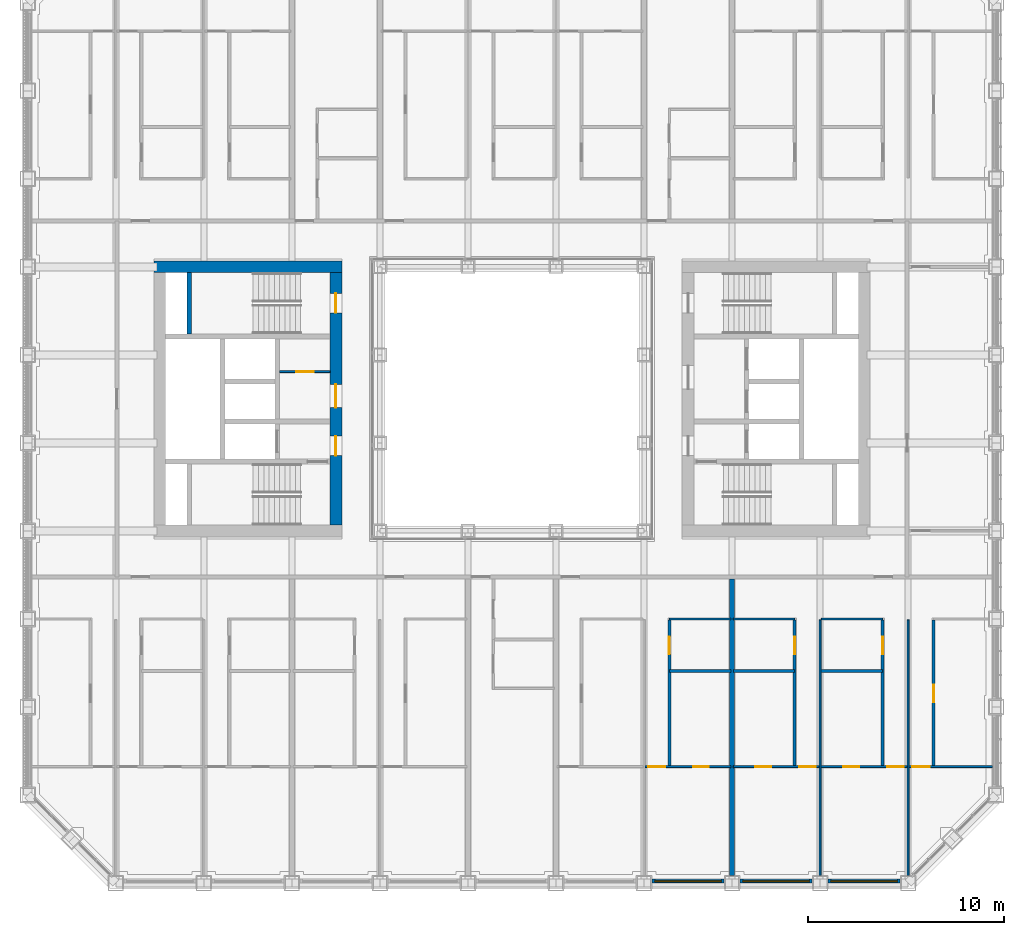
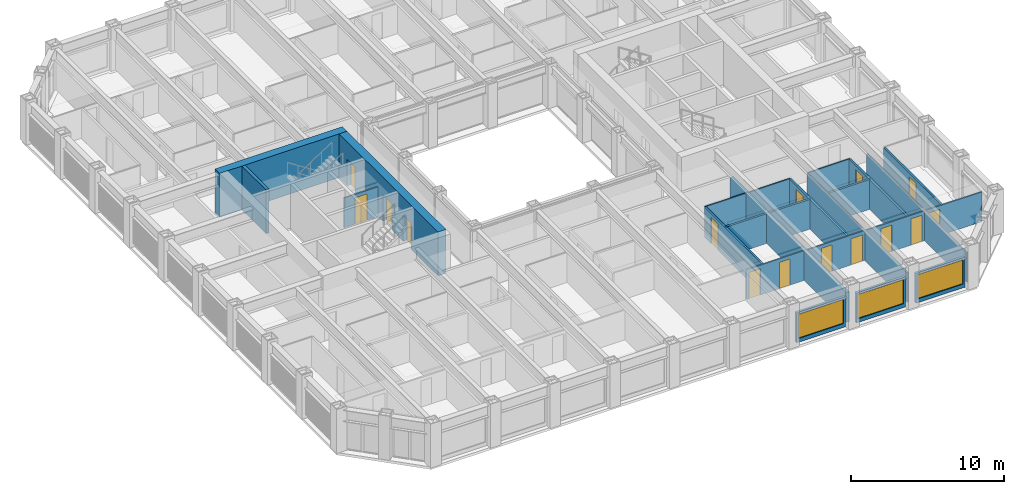
# One storey, part 11 of 20: 24 walls, 15 doors, 3 windows, 18 openings.
"""IFC4 building model written with IfcOpenShell, lengths in metres."""

from ifc_helpers import new_model, si_unit, direction, frame, frame_2d, origin, place, context, subcontext, project, spatial, rectangle, extrude, material, layer, layer_set, type_object, element, fill, save


model = new_model("IFC4")

# Units and contexts
model_context = context("Model", 3, precision=1e-05, world=origin(), true_north=direction((0.0, 1.0)))
body_context = subcontext(model_context, "Body", "Model", "MODEL_VIEW")
ifc_project = project(units=[si_unit("LENGTHUNIT", "METRE"), si_unit("AREAUNIT", "SQUARE_METRE"), si_unit("VOLUMEUNIT", "CUBIC_METRE"), si_unit("PLANEANGLEUNIT", "RADIAN"), si_unit("MASSUNIT", "GRAM", prefix="KILO")], contexts=[model_context])

# Site, building, storey
site_placement = place(None, origin())
site = spatial("IfcSite", under=ifc_project, at=site_placement, CompositionType="ELEMENT")
building_placement = place(site_placement, origin())
building = spatial("IfcBuilding", under=site, at=building_placement, Name="Msasa Ring Tower", CompositionType="ELEMENT")
storey_placement = place(building_placement, frame((0.0, 0.0, 58.0)))
storey = spatial("IfcBuildingStorey", under=building, at=storey_placement, Name="L14", CompositionType="ELEMENT", Elevation=58.0)

# Wall
ifc_material_1 = material(Name="Concrete C60/75", Category="concrete")
ifc_layer_1 = layer(ifc_material_1, 0.60009765625)
ifc_layer_set_1 = layer_set([ifc_layer_1], Name="CW1 CORE WALL 600")
wall_type_1 = type_object("IfcWallType", Name="CW1 CORE WALL 600", PredefinedType="SHEAR", material=ifc_layer_set_1)
wall_1_placement = place(storey_placement, frame((-8.699951171875, 6.75, 0.0), z_axis=(0.0, 0.0, 1.0), x_axis=(-1.0, 0.0, 0.0)))
element("IfcWall", 1, at=wall_1_placement, inside=storey, type_object=wall_type_1, Name="W core wall N L14", PredefinedType="SHEAR", context=body_context, shape_type="SweptSolid", body=[
    extrude(rectangle(XDim=9.60009765625, YDim=0.60009765625, at=frame_2d((4.800048828125, 0.0))), origin(), (0.0, 0.0, 1.0), 3.5),
])

# Wall, openings, doors
wall_2_placement = place(storey_placement, frame((-9.0, -6.449951171875, 0.0), z_axis=(0.0, 0.0, 1.0), x_axis=(0.0, 1.0, 0.0)))
wall_2 = element("IfcWall", 2, at=wall_2_placement, inside=storey, type_object=wall_type_1, Name="W core wall W L14", PredefinedType="SHEAR", context=body_context, shape_type="SweptSolid", body=[
    extrude(rectangle(XDim=12.89990234375, YDim=0.60009765625, at=frame_2d((6.449951171875, 0.0))), origin(), (0.0, 0.0, 1.0), 3.5),
])
opening_1_placement = place(wall_2_placement, frame((3.550048828125, 0.0, 0.0)))
opening_1 = element("IfcOpeningElement", 3, at=opening_1_placement, cuts=wall_2, Name="Opening RD-042", PredefinedType="OPENING", context=body_context, shape_type="SweptSolid", body=[
    extrude(rectangle(XDim=1.0, YDim=2.10009765625, at=frame_2d((0.5, 1.050048828125))), frame((0.0, 0.31005859375, 0.0), z_axis=(0.0, -1.0, 0.0), x_axis=(1.0, 0.0, 0.0)), (0.0, 0.0, 1.0), 0.6201171875),
])
opening_2_placement = place(wall_2_placement, frame((6.0, 0.0, 0.0)))
opening_2 = element("IfcOpeningElement", 4, at=opening_2_placement, cuts=wall_2, Name="Opening RD-039", PredefinedType="OPENING", context=body_context, shape_type="SweptSolid", body=[
    extrude(rectangle(XDim=1.199951171875, YDim=2.10009765625, at=frame_2d((0.60009765625, 1.050048828125))), frame((0.0, 0.31005859375, 0.0), z_axis=(0.0, -1.0, 0.0), x_axis=(1.0, 0.0, 0.0)), (0.0, 0.0, 1.0), 0.6201171875),
])
opening_3_placement = place(wall_2_placement, frame((10.85009765625, 0.0, 0.0)))
opening_3 = element("IfcOpeningElement", 5, at=opening_3_placement, cuts=wall_2, Name="Opening RD-035", PredefinedType="OPENING", context=body_context, shape_type="SweptSolid", body=[
    extrude(rectangle(XDim=1.0, YDim=2.10009765625, at=frame_2d((0.5, 1.050048828125))), frame((0.0, 0.31005859375, 0.0), z_axis=(0.0, -1.0, 0.0), x_axis=(1.0, 0.0, 0.0)), (0.0, 0.0, 1.0), 0.6201171875),
])
ifc_material_2 = material(Name="Timber door leaf in a steel frame", Category="steel")
door_type_1 = type_object("IfcDoorType", Name="D26 WIDE SERVICE ROOM DOOR 1200x2100", OperationType="SINGLE_SWING_LEFT", PredefinedType="DOOR", material=ifc_material_2)
door_1_placement = place(opening_2_placement, origin())
door_1 = element("IfcDoor", 6, at=door_1_placement, inside=storey, type_object=door_type_1, Name="Door L14-WCR", OperationType="SINGLE_SWING_RIGHT", OverallHeight=2.10009765625, OverallWidth=1.199951171875, PredefinedType="DOOR", context=body_context, shape_type="SweptSolid", body=[
    extrude(rectangle(XDim=1.199951171875, YDim=2.10009765625, at=frame_2d((0.60009765625, 1.050048828125))), frame((0.0, 0.02490234375, 0.0), z_axis=(0.0, -1.0, 0.0), x_axis=(1.0, 0.0, 0.0)), (0.0, 0.0, 1.0), 0.050048828125),
])
fill(opening_2, door_1)
ifc_material_3 = material(Name="Timber door leaf in a steel frame", Category="steel")
door_type_2 = type_object("IfcDoorType", Name="D4 LOBBY DOOR 1000x2100", OperationType="SINGLE_SWING_LEFT", PredefinedType="DOOR", material=ifc_material_3)
door_2_placement = place(opening_1_placement, origin())
door_2 = element("IfcDoor", 7, at=door_2_placement, inside=storey, type_object=door_type_2, Name="Door L14-WFFL", OperationType="SINGLE_SWING_LEFT", OverallHeight=2.10009765625, OverallWidth=1.0, PredefinedType="DOOR", context=body_context, shape_type="SweptSolid", body=[
    extrude(rectangle(XDim=1.0, YDim=2.10009765625, at=frame_2d((0.5, 1.050048828125))), frame((0.0, 0.02490234375, 0.0), z_axis=(0.0, -1.0, 0.0), x_axis=(1.0, 0.0, 0.0)), (0.0, 0.0, 1.0), 0.050048828125),
])
fill(opening_1, door_2)
ifc_material_4 = material(Name="Timber door leaf in a steel frame", Category="steel")
door_type_3 = type_object("IfcDoorType", Name="D6 STAIR DOOR 1000x2100", OperationType="SINGLE_SWING_LEFT", PredefinedType="DOOR", material=ifc_material_4)
door_3_placement = place(opening_3_placement, origin())
door_3 = element("IfcDoor", 8, at=door_3_placement, inside=storey, type_object=door_type_3, Name="Door L14-WSTB", OperationType="SINGLE_SWING_RIGHT", OverallHeight=2.10009765625, OverallWidth=1.0, PredefinedType="DOOR", context=body_context, shape_type="SweptSolid", body=[
    extrude(rectangle(XDim=1.0, YDim=2.10009765625, at=frame_2d((0.5, 1.050048828125))), frame((0.0, 0.02490234375, 0.0), z_axis=(0.0, -1.0, 0.0), x_axis=(1.0, 0.0, 0.0)), (0.0, 0.0, 1.0), 0.050048828125),
])
fill(opening_3, door_3)

# Wall
ifc_material_5 = material(Name="Concrete C60/75", Category="concrete")
ifc_layer_2 = layer(ifc_material_5, 0.25)
ifc_layer_set_2 = layer_set([ifc_layer_2], Name="CW4 CORE INNER WALL 250")
wall_type_2 = type_object("IfcWallType", Name="CW4 CORE INNER WALL 250", PredefinedType="SHEAR", material=ifc_layer_set_2)
wall_3_placement = place(storey_placement, frame((-16.5, 3.324951171875, 0.0), z_axis=(0.0, 0.0, 1.0), x_axis=(0.0, 1.0, 0.0)))
element("IfcWall", 9, at=wall_3_placement, inside=storey, type_object=wall_type_2, Name="W core wall RISERB L14", PredefinedType="SHEAR", context=body_context, shape_type="SweptSolid", body=[
    extrude(rectangle(XDim=3.125, YDim=0.25, at=frame_2d((1.5625, 0.0))), origin(), (0.0, 0.0, 1.0), 3.5),
])

# Wall, opening, window
ifc_material_6 = material(Name="Terracotta rainscreen on blockwork", Category="masonry")
ifc_layer_3 = layer(ifc_material_6, 0.199951171875)
ifc_layer_set_3 = layer_set([ifc_layer_3], Name="FW1 TERRACOTTA-LINED INFILL BAY WALL 200")
wall_type_3 = type_object("IfcWallType", Name="FW1 TERRACOTTA-LINED INFILL BAY WALL 200", PredefinedType="SOLIDWALL", material=ifc_layer_set_3)
wall_4_placement = place(storey_placement, frame((7.155029296875, -24.64990234375, 0.0), z_axis=(0.0, 0.0, 1.0), x_axis=(1.0, 0.0, 0.0)))
wall_4 = element("IfcWall", 10, at=wall_4_placement, inside=storey, type_object=wall_type_3, Name="Infill bay wall S L14 06", PredefinedType="SOLIDWALL", context=body_context, shape_type="SweptSolid", body=[
    extrude(rectangle(XDim=3.68994140625, YDim=0.199951171875, at=frame_2d((1.844970703125, 0.0))), origin(), (0.0, 0.0, 1.0), 2.37890625),
])
opening_4_placement = place(wall_4_placement, frame((0.14501953125, 0.0, 0.300048828125)))
opening_4 = element("IfcOpeningElement", 11, at=opening_4_placement, cuts=wall_4, Name="Opening WN1", PredefinedType="OPENING", context=body_context, shape_type="SweptSolid", body=[
    extrude(rectangle(XDim=3.39990234375, YDim=1.928955078125, at=frame_2d((1.699951171875, 0.96435546875))), frame((0.0, 0.10986328125, 0.0), z_axis=(0.0, -1.0, 0.0), x_axis=(1.0, 0.0, 0.0)), (0.0, 0.0, 1.0), 0.219970703125),
])
ifc_material_7 = material(Name="Aluminium frame with clear glass", Category="aluminium")
window_type = type_object("IfcWindowType", Name="WN1 RESIDENCE WINDOW 3400x1929", PartitioningType="SINGLE_PANEL", PredefinedType="WINDOW", material=ifc_material_7)
window_1_placement = place(opening_4_placement, origin())
window_1 = element("IfcWindow", 12, at=window_1_placement, inside=storey, type_object=window_type, Name="Window S L14 06", OverallHeight=1.928955078125, OverallWidth=3.39990234375, PartitioningType="SINGLE_PANEL", PredefinedType="WINDOW", context=body_context, shape_type="SweptSolid", body=[
    extrude(rectangle(XDim=3.39990234375, YDim=1.928955078125, at=frame_2d((1.699951171875, 0.96435546875))), frame((0.0, 0.030029296875, 0.0), z_axis=(0.0, -1.0, 0.0), x_axis=(1.0, 0.0, 0.0)), (0.0, 0.0, 1.0), 0.06005859375),
])
fill(opening_4, window_1)

wall_5_placement = place(storey_placement, frame((11.655029296875, -24.64990234375, 0.0), z_axis=(0.0, 0.0, 1.0), x_axis=(1.0, 0.0, 0.0)))
wall_5 = element("IfcWall", 13, at=wall_5_placement, inside=storey, type_object=wall_type_3, Name="Infill bay wall S L14 07", PredefinedType="SOLIDWALL", context=body_context, shape_type="SweptSolid", body=[
    extrude(rectangle(XDim=3.68994140625, YDim=0.199951171875, at=frame_2d((1.844970703125, 0.0))), origin(), (0.0, 0.0, 1.0), 2.37890625),
])
opening_5_placement = place(wall_5_placement, frame((0.14501953125, 0.0, 0.300048828125)))
opening_5 = element("IfcOpeningElement", 14, at=opening_5_placement, cuts=wall_5, Name="Opening WN1", PredefinedType="OPENING", context=body_context, shape_type="SweptSolid", body=[
    extrude(rectangle(XDim=3.39990234375, YDim=1.928955078125, at=frame_2d((1.699951171875, 0.96435546875))), frame((0.0, 0.10986328125, 0.0), z_axis=(0.0, -1.0, 0.0), x_axis=(1.0, 0.0, 0.0)), (0.0, 0.0, 1.0), 0.219970703125),
])
window_2_placement = place(opening_5_placement, origin())
window_2 = element("IfcWindow", 15, at=window_2_placement, inside=storey, type_object=window_type, Name="Window S L14 07", OverallHeight=1.928955078125, OverallWidth=3.39990234375, PartitioningType="SINGLE_PANEL", PredefinedType="WINDOW", context=body_context, shape_type="SweptSolid", body=[
    extrude(rectangle(XDim=3.39990234375, YDim=1.928955078125, at=frame_2d((1.699951171875, 0.96435546875))), frame((0.0, 0.030029296875, 0.0), z_axis=(0.0, -1.0, 0.0), x_axis=(1.0, 0.0, 0.0)), (0.0, 0.0, 1.0), 0.06005859375),
])
fill(opening_5, window_2)

wall_6_placement = place(storey_placement, frame((16.155029296875, -24.64990234375, 0.0), z_axis=(0.0, 0.0, 1.0), x_axis=(1.0, 0.0, 0.0)))
wall_6 = element("IfcWall", 16, at=wall_6_placement, inside=storey, type_object=wall_type_3, Name="Infill bay wall S L14 08", PredefinedType="SOLIDWALL", context=body_context, shape_type="SweptSolid", body=[
    extrude(rectangle(XDim=3.68994140625, YDim=0.199951171875, at=frame_2d((1.844970703125, 0.0))), origin(), (0.0, 0.0, 1.0), 2.37890625),
])
opening_6_placement = place(wall_6_placement, frame((0.14501953125, 0.0, 0.300048828125)))
opening_6 = element("IfcOpeningElement", 17, at=opening_6_placement, cuts=wall_6, Name="Opening WN1", PredefinedType="OPENING", context=body_context, shape_type="SweptSolid", body=[
    extrude(rectangle(XDim=3.39990234375, YDim=1.928955078125, at=frame_2d((1.699951171875, 0.96435546875))), frame((0.0, 0.10986328125, 0.0), z_axis=(0.0, -1.0, 0.0), x_axis=(1.0, 0.0, 0.0)), (0.0, 0.0, 1.0), 0.219970703125),
])
window_3_placement = place(opening_6_placement, origin())
window_3 = element("IfcWindow", 18, at=window_3_placement, inside=storey, type_object=window_type, Name="Window S L14 08", OverallHeight=1.928955078125, OverallWidth=3.39990234375, PartitioningType="SINGLE_PANEL", PredefinedType="WINDOW", context=body_context, shape_type="SweptSolid", body=[
    extrude(rectangle(XDim=3.39990234375, YDim=1.928955078125, at=frame_2d((1.699951171875, 0.96435546875))), frame((0.0, 0.030029296875, 0.0), z_axis=(0.0, -1.0, 0.0), x_axis=(1.0, 0.0, 0.0)), (0.0, 0.0, 1.0), 0.06005859375),
])
fill(opening_6, window_3)

# Wall
ifc_material_8 = material(Name="Gypsum board on steel studs", Category="steel")
ifc_layer_4 = layer(ifc_material_8, 0.10009765625)
ifc_layer_set_4 = layer_set([ifc_layer_4], Name="PT2 STUD PARTITION 100")
wall_type_4 = type_object("IfcWallType", Name="PT2 STUD PARTITION 100", PredefinedType="PARTITIONING", material=ifc_layer_set_4)
wall_7_placement = place(storey_placement, frame((8.050048828125, -11.25, 0.0), z_axis=(0.0, 0.0, 1.0), x_axis=(1.0, 0.0, 0.0)))
element("IfcWall", 19, at=wall_7_placement, inside=storey, type_object=wall_type_4, Name="Partition L14-US03HY1", PredefinedType="PARTITIONING", context=body_context, shape_type="SweptSolid", body=[
    extrude(rectangle(XDim=3.139892578125, YDim=0.10009765625, at=frame_2d((1.56982421875, 0.0))), origin(), (0.0, 0.0, 1.0), 2.373291015625),
])

# Wall, openings, doors
wall_8_placement = place(storey_placement, frame((6.800048828125, -18.800048828125, 0.0), z_axis=(0.0, 0.0, 1.0), x_axis=(1.0, 0.0, 0.0)))
wall_8 = element("IfcWall", 20, at=wall_8_placement, inside=storey, type_object=wall_type_4, Name="Partition L14-US03SY1", PredefinedType="PARTITIONING", context=body_context, shape_type="SweptSolid", body=[
    extrude(rectangle(XDim=4.389892578125, YDim=0.10009765625, at=frame_2d((2.19482421875, 0.0))), origin(), (0.0, 0.0, 1.0), 2.373291015625),
])
opening_7_placement = place(wall_8_placement, frame((0.175048828125, 0.0, 0.0)))
opening_7 = element("IfcOpeningElement", 21, at=opening_7_placement, cuts=wall_8, Name="Opening RD-073", PredefinedType="OPENING", context=body_context, shape_type="SweptSolid", body=[
    extrude(rectangle(XDim=0.85009765625, YDim=2.10009765625, at=frame_2d((0.425048828125, 1.050048828125))), frame((0.0, 0.06005859375, 0.0), z_axis=(0.0, -1.0, 0.0), x_axis=(1.0, 0.0, 0.0)), (0.0, 0.0, 1.0), 0.1201171875),
])
opening_8_placement = place(wall_8_placement, frame((2.4599609375, 0.0, 0.0)))
opening_8 = element("IfcOpeningElement", 22, at=opening_8_placement, cuts=wall_8, Name="Opening RD-074", PredefinedType="OPENING", context=body_context, shape_type="SweptSolid", body=[
    extrude(rectangle(XDim=0.800048828125, YDim=2.10009765625, at=frame_2d((0.39990234375, 1.050048828125))), frame((0.0, 0.06005859375, 0.0), z_axis=(0.0, -1.0, 0.0), x_axis=(1.0, 0.0, 0.0)), (0.0, 0.0, 1.0), 0.1201171875),
])
ifc_material_9 = material(Name="Timber door leaf in a steel frame", Category="steel")
door_type_4 = type_object("IfcDoorType", Name="D14 BEDROOM DOOR 850x2100", OperationType="SINGLE_SWING_LEFT", PredefinedType="DOOR", material=ifc_material_9)
door_4_placement = place(opening_7_placement, origin())
door_4 = element("IfcDoor", 23, at=door_4_placement, inside=storey, type_object=door_type_4, Name="Door L14-US03R1", OperationType="SINGLE_SWING_LEFT", OverallHeight=2.10009765625, OverallWidth=0.85009765625, PredefinedType="DOOR", context=body_context, shape_type="SweptSolid", body=[
    extrude(rectangle(XDim=0.85009765625, YDim=2.10009765625, at=frame_2d((0.425048828125, 1.050048828125))), frame((0.0, 0.02490234375, 0.0), z_axis=(0.0, -1.0, 0.0), x_axis=(1.0, 0.0, 0.0)), (0.0, 0.0, 1.0), 0.050048828125),
])
fill(opening_7, door_4)
ifc_material_10 = material(Name="Timber door leaf in a steel frame", Category="steel")
door_type_5 = type_object("IfcDoorType", Name="D60 DRESSING ROOM DOOR 800x2100", OperationType="SINGLE_SWING_LEFT", PredefinedType="DOOR", material=ifc_material_10)
door_5_placement = place(opening_8_placement, origin())
door_5 = element("IfcDoor", 24, at=door_5_placement, inside=storey, type_object=door_type_5, Name="Door L14-US03W1", OperationType="SINGLE_SWING_RIGHT", OverallHeight=2.10009765625, OverallWidth=0.800048828125, PredefinedType="DOOR", context=body_context, shape_type="SweptSolid", body=[
    extrude(rectangle(XDim=0.800048828125, YDim=2.10009765625, at=frame_2d((0.39990234375, 1.050048828125))), frame((0.0, 0.02490234375, 0.0), z_axis=(0.0, -1.0, 0.0), x_axis=(1.0, 0.0, 0.0)), (0.0, 0.0, 1.0), 0.050048828125),
])
fill(opening_8, door_5)

# Wall, opening, door
wall_9_placement = place(storey_placement, frame((20.300048828125, -18.800048828125, 0.0), z_axis=(0.0, 0.0, 1.0), x_axis=(1.0, 0.0, 0.0)))
wall_9 = element("IfcWall", 25, at=wall_9_placement, inside=storey, type_object=wall_type_4, Name="Partition L14-US04SY0", PredefinedType="PARTITIONING", context=body_context, shape_type="SweptSolid", body=[
    extrude(rectangle(XDim=4.25, YDim=0.10009765625, at=frame_2d((2.125, 0.0))), origin(), (0.0, 0.0, 1.0), 2.373291015625),
])
opening_9_placement = place(wall_9_placement, frame((0.14990234375, 0.0, 0.0)))
opening_9 = element("IfcOpeningElement", 26, at=opening_9_placement, cuts=wall_9, Name="Opening RD-079", PredefinedType="OPENING", context=body_context, shape_type="SweptSolid", body=[
    extrude(rectangle(XDim=0.89990234375, YDim=2.10009765625, at=frame_2d((0.449951171875, 1.050048828125))), frame((0.0, 0.06005859375, 0.0), z_axis=(0.0, -1.0, 0.0), x_axis=(1.0, 0.0, 0.0)), (0.0, 0.0, 1.0), 0.1201171875),
])
ifc_material_11 = material(Name="Timber door leaf in a steel frame", Category="steel")
door_type_6 = type_object("IfcDoorType", Name="D22 INTERNAL HALL DOOR 900x2100", OperationType="SINGLE_SWING_LEFT", PredefinedType="DOOR", material=ifc_material_11)
door_6_placement = place(opening_9_placement, origin())
door_6 = element("IfcDoor", 27, at=door_6_placement, inside=storey, type_object=door_type_6, Name="Door L14-US04L", OperationType="SINGLE_SWING_LEFT", OverallHeight=2.10009765625, OverallWidth=0.89990234375, PredefinedType="DOOR", context=body_context, shape_type="SweptSolid", body=[
    extrude(rectangle(XDim=0.89990234375, YDim=2.10009765625, at=frame_2d((0.449951171875, 1.050048828125))), frame((0.0, 0.02490234375, 0.0), z_axis=(0.0, -1.0, 0.0), x_axis=(1.0, 0.0, 0.0)), (0.0, 0.0, 1.0), 0.050048828125),
])
fill(opening_9, door_6)

# Walls
wall_10_placement = place(storey_placement, frame((20.25, -24.35009765625, 0.0), z_axis=(0.0, 0.0, 1.0), x_axis=(0.0, 1.0, 0.0)))
element("IfcWall", 28, at=wall_10_placement, inside=storey, type_object=wall_type_4, Name="Partition L14-US04P1", PredefinedType="PARTITIONING", context=body_context, shape_type="SweptSolid", body=[
    extrude(rectangle(XDim=13.050048828125, YDim=0.10009765625, at=frame_2d((6.52490234375, 0.0))), origin(), (0.0, 0.0, 1.0), 2.373291015625),
])
wall_11_placement = place(storey_placement, frame((15.81005859375, -11.25, 0.0), z_axis=(0.0, 0.0, 1.0), x_axis=(1.0, 0.0, 0.0)))
element("IfcWall", 29, at=wall_11_placement, inside=storey, type_object=wall_type_4, Name="Partition L14-US04HY1", PredefinedType="PARTITIONING", context=body_context, shape_type="SweptSolid", body=[
    extrude(rectangle(XDim=3.139892578125, YDim=0.10009765625, at=frame_2d((1.56982421875, 0.0))), origin(), (0.0, 0.0, 1.0), 2.373291015625),
])

# Wall, openings, doors
wall_12_placement = place(storey_placement, frame((15.800048828125, -18.800048828125, 0.0), z_axis=(0.0, 0.0, 1.0), x_axis=(1.0, 0.0, 0.0)))
wall_12 = element("IfcWall", 30, at=wall_12_placement, inside=storey, type_object=wall_type_4, Name="Partition L14-US04SY1", PredefinedType="PARTITIONING", context=body_context, shape_type="SweptSolid", body=[
    extrude(rectangle(XDim=4.39990234375, YDim=0.10009765625, at=frame_2d((2.199951171875, 0.0))), origin(), (0.0, 0.0, 1.0), 2.373291015625),
])
opening_10_placement = place(wall_12_placement, frame((3.375, 0.0, 0.0)))
opening_10 = element("IfcOpeningElement", 31, at=opening_10_placement, cuts=wall_12, Name="Opening RD-078", PredefinedType="OPENING", context=body_context, shape_type="SweptSolid", body=[
    extrude(rectangle(XDim=0.85009765625, YDim=2.10009765625, at=frame_2d((0.425048828125, 1.050048828125))), frame((0.0, 0.06005859375, 0.0), z_axis=(0.0, -1.0, 0.0), x_axis=(1.0, 0.0, 0.0)), (0.0, 0.0, 1.0), 0.1201171875),
])
opening_11_placement = place(wall_12_placement, frame((1.139892578125, 0.0, 0.0)))
opening_11 = element("IfcOpeningElement", 32, at=opening_11_placement, cuts=wall_12, Name="Opening RD-077", PredefinedType="OPENING", context=body_context, shape_type="SweptSolid", body=[
    extrude(rectangle(XDim=0.800048828125, YDim=2.10009765625, at=frame_2d((0.39990234375, 1.050048828125))), frame((0.0, 0.06005859375, 0.0), z_axis=(0.0, -1.0, 0.0), x_axis=(1.0, 0.0, 0.0)), (0.0, 0.0, 1.0), 0.1201171875),
])
door_7_placement = place(opening_10_placement, origin())
door_7 = element("IfcDoor", 33, at=door_7_placement, inside=storey, type_object=door_type_4, Name="Door L14-US04R1", OperationType="SINGLE_SWING_RIGHT", OverallHeight=2.10009765625, OverallWidth=0.85009765625, PredefinedType="DOOR", context=body_context, shape_type="SweptSolid", body=[
    extrude(rectangle(XDim=0.85009765625, YDim=2.10009765625, at=frame_2d((0.425048828125, 1.050048828125))), frame((0.0, 0.02490234375, 0.0), z_axis=(0.0, -1.0, 0.0), x_axis=(1.0, 0.0, 0.0)), (0.0, 0.0, 1.0), 0.050048828125),
])
fill(opening_10, door_7)
door_8_placement = place(opening_11_placement, origin())
door_8 = element("IfcDoor", 34, at=door_8_placement, inside=storey, type_object=door_type_5, Name="Door L14-US04W1", OperationType="SINGLE_SWING_LEFT", OverallHeight=2.10009765625, OverallWidth=0.800048828125, PredefinedType="DOOR", context=body_context, shape_type="SweptSolid", body=[
    extrude(rectangle(XDim=0.800048828125, YDim=2.10009765625, at=frame_2d((0.39990234375, 1.050048828125))), frame((0.0, 0.02490234375, 0.0), z_axis=(0.0, -1.0, 0.0), x_axis=(1.0, 0.0, 0.0)), (0.0, 0.0, 1.0), 0.050048828125),
])
fill(opening_11, door_8)

# Walls
wall_13_placement = place(storey_placement, frame((15.75, -24.35009765625, 0.0), z_axis=(0.0, 0.0, 1.0), x_axis=(0.0, 1.0, 0.0)))
element("IfcWall", 35, at=wall_13_placement, inside=storey, type_object=wall_type_4, Name="Partition L14-US04P2", PredefinedType="PARTITIONING", context=body_context, shape_type="SweptSolid", body=[
    extrude(rectangle(XDim=13.050048828125, YDim=0.10009765625, at=frame_2d((6.52490234375, 0.0))), origin(), (0.0, 0.0, 1.0), 2.373291015625),
])
wall_14_placement = place(storey_placement, frame((11.31005859375, -11.25, 0.0), z_axis=(0.0, 0.0, 1.0), x_axis=(1.0, 0.0, 0.0)))
element("IfcWall", 36, at=wall_14_placement, inside=storey, type_object=wall_type_4, Name="Partition L14-US04HY2", PredefinedType="PARTITIONING", context=body_context, shape_type="SweptSolid", body=[
    extrude(rectangle(XDim=3.139892578125, YDim=0.10009765625, at=frame_2d((1.56982421875, 0.0))), origin(), (0.0, 0.0, 1.0), 2.373291015625),
])

# Wall, openings, doors
wall_15_placement = place(storey_placement, frame((11.31005859375, -18.800048828125, 0.0), z_axis=(0.0, 0.0, 1.0), x_axis=(1.0, 0.0, 0.0)))
wall_15 = element("IfcWall", 37, at=wall_15_placement, inside=storey, type_object=wall_type_4, Name="Partition L14-US04SY2", PredefinedType="PARTITIONING", context=body_context, shape_type="SweptSolid", body=[
    extrude(rectangle(XDim=4.389892578125, YDim=0.10009765625, at=frame_2d((2.19482421875, 0.0))), origin(), (0.0, 0.0, 1.0), 2.373291015625),
])
opening_12_placement = place(wall_15_placement, frame((3.364990234375, 0.0, 0.0)))
opening_12 = element("IfcOpeningElement", 38, at=opening_12_placement, cuts=wall_15, Name="Opening RD-076", PredefinedType="OPENING", context=body_context, shape_type="SweptSolid", body=[
    extrude(rectangle(XDim=0.85009765625, YDim=2.10009765625, at=frame_2d((0.425048828125, 1.050048828125))), frame((0.0, 0.06005859375, 0.0), z_axis=(0.0, -1.0, 0.0), x_axis=(1.0, 0.0, 0.0)), (0.0, 0.0, 1.0), 0.1201171875),
])
opening_13_placement = place(wall_15_placement, frame((1.1298828125, 0.0, 0.0)))
opening_13 = element("IfcOpeningElement", 39, at=opening_13_placement, cuts=wall_15, Name="Opening RD-075", PredefinedType="OPENING", context=body_context, shape_type="SweptSolid", body=[
    extrude(rectangle(XDim=0.800048828125, YDim=2.10009765625, at=frame_2d((0.39990234375, 1.050048828125))), frame((0.0, 0.06005859375, 0.0), z_axis=(0.0, -1.0, 0.0), x_axis=(1.0, 0.0, 0.0)), (0.0, 0.0, 1.0), 0.1201171875),
])
door_9_placement = place(opening_12_placement, origin())
door_9 = element("IfcDoor", 40, at=door_9_placement, inside=storey, type_object=door_type_4, Name="Door L14-US04R2", OperationType="SINGLE_SWING_RIGHT", OverallHeight=2.10009765625, OverallWidth=0.85009765625, PredefinedType="DOOR", context=body_context, shape_type="SweptSolid", body=[
    extrude(rectangle(XDim=0.85009765625, YDim=2.10009765625, at=frame_2d((0.425048828125, 1.050048828125))), frame((0.0, 0.02490234375, 0.0), z_axis=(0.0, -1.0, 0.0), x_axis=(1.0, 0.0, 0.0)), (0.0, 0.0, 1.0), 0.050048828125),
])
fill(opening_12, door_9)
door_10_placement = place(opening_13_placement, origin())
door_10 = element("IfcDoor", 41, at=door_10_placement, inside=storey, type_object=door_type_5, Name="Door L14-US04W2", OperationType="SINGLE_SWING_LEFT", OverallHeight=2.10009765625, OverallWidth=0.800048828125, PredefinedType="DOOR", context=body_context, shape_type="SweptSolid", body=[
    extrude(rectangle(XDim=0.800048828125, YDim=2.10009765625, at=frame_2d((0.39990234375, 1.050048828125))), frame((0.0, 0.02490234375, 0.0), z_axis=(0.0, -1.0, 0.0), x_axis=(1.0, 0.0, 0.0)), (0.0, 0.0, 1.0), 0.050048828125),
])
fill(opening_13, door_10)

# Wall, opening, door
wall_16_placement = place(storey_placement, frame((-11.875, 1.39990234375, 0.0), z_axis=(0.0, 0.0, 1.0), x_axis=(1.0, 0.0, 0.0)))
wall_16 = element("IfcWall", 42, at=wall_16_placement, inside=storey, type_object=wall_type_4, Name="Partition L14-WCP", PredefinedType="PARTITIONING", context=body_context, shape_type="SweptSolid", body=[
    extrude(rectangle(XDim=2.574951171875, YDim=0.10009765625, at=frame_2d((1.28759765625, 0.0))), origin(), (0.0, 0.0, 1.0), 2.373291015625),
])
opening_14_placement = place(wall_16_placement, frame((0.83740234375, 0.0, 0.0)))
opening_14 = element("IfcOpeningElement", 43, at=opening_14_placement, cuts=wall_16, Name="Opening RD-037", PredefinedType="OPENING", context=body_context, shape_type="SweptSolid", body=[
    extrude(rectangle(XDim=0.89990234375, YDim=2.10009765625, at=frame_2d((0.449951171875, 1.050048828125))), frame((0.0, 0.06005859375, 0.0), z_axis=(0.0, -1.0, 0.0), x_axis=(1.0, 0.0, 0.0)), (0.0, 0.0, 1.0), 0.1201171875),
])
door_11_placement = place(opening_14_placement, origin())
door_11 = element("IfcDoor", 44, at=door_11_placement, inside=storey, type_object=door_type_6, Name="Door L14-WCP", OperationType="SINGLE_SWING_LEFT", OverallHeight=2.10009765625, OverallWidth=0.89990234375, PredefinedType="DOOR", context=body_context, shape_type="SweptSolid", body=[
    extrude(rectangle(XDim=0.89990234375, YDim=2.10009765625, at=frame_2d((0.449951171875, 1.050048828125))), frame((0.0, 0.02490234375, 0.0), z_axis=(0.0, -1.0, 0.0), x_axis=(1.0, 0.0, 0.0)), (0.0, 0.0, 1.0), 0.050048828125),
])
fill(opening_14, door_11)

# Wall
ifc_material_12 = material(Name="Dense concrete blockwork, plastered both faces", Category="masonry")
ifc_layer_5 = layer(ifc_material_12, 0.25)
ifc_layer_set_5 = layer_set([ifc_layer_5], Name="PT3 APARTMENT SEPARATING WALL 250")
wall_type_5 = type_object("IfcWallType", Name="PT3 APARTMENT SEPARATING WALL 250", PredefinedType="PARTITIONING", material=ifc_layer_set_5)
wall_17_placement = place(storey_placement, frame((11.25, -24.35009765625, 0.0), z_axis=(0.0, 0.0, 1.0), x_axis=(0.0, 1.0, 0.0)))
element("IfcWall", 45, at=wall_17_placement, inside=storey, type_object=wall_type_5, Name="Party wall L14-PWS+11.25", PredefinedType="PARTITIONING", context=body_context, shape_type="SweptSolid", body=[
    extrude(rectangle(XDim=15.150146484375, YDim=0.25, at=frame_2d((7.5751953125, 0.0))), origin(), (0.0, 0.0, 1.0), 2.373291015625),
])

# Wall, opening, door
ifc_material_13 = material(Name="Moisture-resistant board on steel studs with a concealed cistern and pipe void, tiled", Category="steel")
ifc_layer_6 = layer(ifc_material_13, 0.14990234375)
ifc_layer_set_6 = layer_set([ifc_layer_6], Name="PT4 BATHROOM WET WALL 150")
wall_type_6 = type_object("IfcWallType", Name="PT4 BATHROOM WET WALL 150", PredefinedType="PARTITIONING", material=ifc_layer_set_6)
wall_18_placement = place(storey_placement, frame((8.050048828125, -18.800048828125, 0.0), z_axis=(0.0, 0.0, 1.0), x_axis=(0.0, 1.0, 0.0)))
wall_18 = element("IfcWall", 46, at=wall_18_placement, inside=storey, type_object=wall_type_6, Name="Partition L14-US03SX1", PredefinedType="PARTITIONING", context=body_context, shape_type="SweptSolid", body=[
    extrude(rectangle(XDim=7.5, YDim=0.14990234375, at=frame_2d((3.75, 0.0))), origin(), (0.0, 0.0, 1.0), 2.373291015625),
])
opening_15_placement = place(wall_18_placement, frame((5.75, 0.0, 0.0)))
opening_15 = element("IfcOpeningElement", 47, at=opening_15_placement, cuts=wall_18, Name="Opening RD-056", PredefinedType="OPENING", context=body_context, shape_type="SweptSolid", body=[
    extrude(rectangle(XDim=0.89990234375, YDim=2.10009765625, at=frame_2d((0.449951171875, 1.050048828125))), frame((0.0, 0.0849609375, 0.0), z_axis=(0.0, -1.0, 0.0), x_axis=(1.0, 0.0, 0.0)), (0.0, 0.0, 1.0), 0.169921875),
])
ifc_material_14 = material(Name="Timber door leaf in a steel frame", Category="steel")
door_type_7 = type_object("IfcDoorType", Name="D3 BATHROOM DOOR 900x2100", OperationType="SINGLE_SWING_LEFT", PredefinedType="DOOR", material=ifc_material_14)
door_12_placement = place(opening_15_placement, origin())
door_12 = element("IfcDoor", 48, at=door_12_placement, inside=storey, type_object=door_type_7, Name="Door L14-US03B1", OperationType="SINGLE_SWING_RIGHT", OverallHeight=2.10009765625, OverallWidth=0.89990234375, PredefinedType="DOOR", context=body_context, shape_type="SweptSolid", body=[
    extrude(rectangle(XDim=0.89990234375, YDim=2.10009765625, at=frame_2d((0.449951171875, 1.050048828125))), frame((0.0, 0.02490234375, 0.0), z_axis=(0.0, -1.0, 0.0), x_axis=(1.0, 0.0, 0.0)), (0.0, 0.0, 1.0), 0.050048828125),
])
fill(opening_15, door_12)

# Wall
wall_19_placement = place(storey_placement, frame((8.050048828125, -13.89990234375, 0.0), z_axis=(0.0, 0.0, 1.0), x_axis=(1.0, 0.0, 0.0)))
element("IfcWall", 49, at=wall_19_placement, inside=storey, type_object=wall_type_6, Name="Partition L14-US03SB1", PredefinedType="PARTITIONING", context=body_context, shape_type="SweptSolid", body=[
    extrude(rectangle(XDim=3.139892578125, YDim=0.14990234375, at=frame_2d((1.56982421875, 0.0))), origin(), (0.0, 0.0, 1.0), 2.373291015625),
])

# Wall, opening, door
wall_20_placement = place(storey_placement, frame((21.550048828125, -18.800048828125, 0.0), z_axis=(0.0, 0.0, 1.0), x_axis=(0.0, 1.0, 0.0)))
wall_20 = element("IfcWall", 50, at=wall_20_placement, inside=storey, type_object=wall_type_6, Name="Partition L14-US04SX0", PredefinedType="PARTITIONING", context=body_context, shape_type="SweptSolid", body=[
    extrude(rectangle(XDim=7.5, YDim=0.14990234375, at=frame_2d((3.75, 0.0))), origin(), (0.0, 0.0, 1.0), 2.373291015625),
])
opening_16_placement = place(wall_20_placement, frame((3.300048828125, 0.0, 0.0)))
opening_16 = element("IfcOpeningElement", 51, at=opening_16_placement, cuts=wall_20, Name="Opening RD-063", PredefinedType="OPENING", context=body_context, shape_type="SweptSolid", body=[
    extrude(rectangle(XDim=0.89990234375, YDim=2.10009765625, at=frame_2d((0.449951171875, 1.050048828125))), frame((0.0, 0.0849609375, 0.0), z_axis=(0.0, -1.0, 0.0), x_axis=(1.0, 0.0, 0.0)), (0.0, 0.0, 1.0), 0.169921875),
])
door_13_placement = place(opening_16_placement, origin())
door_13 = element("IfcDoor", 52, at=door_13_placement, inside=storey, type_object=door_type_6, Name="Door L14-US04K", OperationType="SINGLE_SWING_LEFT", OverallHeight=2.10009765625, OverallWidth=0.89990234375, PredefinedType="DOOR", context=body_context, shape_type="SweptSolid", body=[
    extrude(rectangle(XDim=0.89990234375, YDim=2.10009765625, at=frame_2d((0.449951171875, 1.050048828125))), frame((0.0, 0.02490234375, 0.0), z_axis=(0.0, -1.0, 0.0), x_axis=(1.0, 0.0, 0.0)), (0.0, 0.0, 1.0), 0.050048828125),
])
fill(opening_16, door_13)

wall_21_placement = place(storey_placement, frame((18.949951171875, -18.800048828125, 0.0), z_axis=(0.0, 0.0, 1.0), x_axis=(0.0, 1.0, 0.0)))
wall_21 = element("IfcWall", 53, at=wall_21_placement, inside=storey, type_object=wall_type_6, Name="Partition L14-US04SX1", PredefinedType="PARTITIONING", context=body_context, shape_type="SweptSolid", body=[
    extrude(rectangle(XDim=7.5, YDim=0.14990234375, at=frame_2d((3.75, 0.0))), origin(), (0.0, 0.0, 1.0), 2.373291015625),
])
opening_17_placement = place(wall_21_placement, frame((5.75, 0.0, 0.0)))
opening_17 = element("IfcOpeningElement", 54, at=opening_17_placement, cuts=wall_21, Name="Opening RD-058", PredefinedType="OPENING", context=body_context, shape_type="SweptSolid", body=[
    extrude(rectangle(XDim=0.89990234375, YDim=2.10009765625, at=frame_2d((0.449951171875, 1.050048828125))), frame((0.0, 0.0849609375, 0.0), z_axis=(0.0, -1.0, 0.0), x_axis=(1.0, 0.0, 0.0)), (0.0, 0.0, 1.0), 0.169921875),
])
door_14_placement = place(opening_17_placement, origin())
door_14 = element("IfcDoor", 55, at=door_14_placement, inside=storey, type_object=door_type_7, Name="Door L14-US04B1", OperationType="SINGLE_SWING_RIGHT", OverallHeight=2.10009765625, OverallWidth=0.89990234375, PredefinedType="DOOR", context=body_context, shape_type="SweptSolid", body=[
    extrude(rectangle(XDim=0.89990234375, YDim=2.10009765625, at=frame_2d((0.449951171875, 1.050048828125))), frame((0.0, 0.02490234375, 0.0), z_axis=(0.0, -1.0, 0.0), x_axis=(1.0, 0.0, 0.0)), (0.0, 0.0, 1.0), 0.050048828125),
])
fill(opening_17, door_14)

# Wall
wall_22_placement = place(storey_placement, frame((15.800048828125, -13.89990234375, 0.0), z_axis=(0.0, 0.0, 1.0), x_axis=(1.0, 0.0, 0.0)))
element("IfcWall", 56, at=wall_22_placement, inside=storey, type_object=wall_type_6, Name="Partition L14-US04SB1", PredefinedType="PARTITIONING", context=body_context, shape_type="SweptSolid", body=[
    extrude(rectangle(XDim=3.14990234375, YDim=0.14990234375, at=frame_2d((1.574951171875, 0.0))), origin(), (0.0, 0.0, 1.0), 2.373291015625),
])

# Wall, opening, door
wall_23_placement = place(storey_placement, frame((14.449951171875, -18.800048828125, 0.0), z_axis=(0.0, 0.0, 1.0), x_axis=(0.0, 1.0, 0.0)))
wall_23 = element("IfcWall", 57, at=wall_23_placement, inside=storey, type_object=wall_type_6, Name="Partition L14-US04SX2", PredefinedType="PARTITIONING", context=body_context, shape_type="SweptSolid", body=[
    extrude(rectangle(XDim=7.5, YDim=0.14990234375, at=frame_2d((3.75, 0.0))), origin(), (0.0, 0.0, 1.0), 2.373291015625),
])
opening_18_placement = place(wall_23_placement, frame((5.75, 0.0, 0.0)))
opening_18 = element("IfcOpeningElement", 58, at=opening_18_placement, cuts=wall_23, Name="Opening RD-057", PredefinedType="OPENING", context=body_context, shape_type="SweptSolid", body=[
    extrude(rectangle(XDim=0.89990234375, YDim=2.10009765625, at=frame_2d((0.449951171875, 1.050048828125))), frame((0.0, 0.0849609375, 0.0), z_axis=(0.0, -1.0, 0.0), x_axis=(1.0, 0.0, 0.0)), (0.0, 0.0, 1.0), 0.169921875),
])
door_15_placement = place(opening_18_placement, origin())
door_15 = element("IfcDoor", 59, at=door_15_placement, inside=storey, type_object=door_type_7, Name="Door L14-US04B2", OperationType="SINGLE_SWING_RIGHT", OverallHeight=2.10009765625, OverallWidth=0.89990234375, PredefinedType="DOOR", context=body_context, shape_type="SweptSolid", body=[
    extrude(rectangle(XDim=0.89990234375, YDim=2.10009765625, at=frame_2d((0.449951171875, 1.050048828125))), frame((0.0, 0.02490234375, 0.0), z_axis=(0.0, -1.0, 0.0), x_axis=(1.0, 0.0, 0.0)), (0.0, 0.0, 1.0), 0.050048828125),
])
fill(opening_18, door_15)

# Wall
wall_24_placement = place(storey_placement, frame((11.31005859375, -13.89990234375, 0.0), z_axis=(0.0, 0.0, 1.0), x_axis=(1.0, 0.0, 0.0)))
element("IfcWall", 60, at=wall_24_placement, inside=storey, type_object=wall_type_6, Name="Partition L14-US04SB2", PredefinedType="PARTITIONING", context=body_context, shape_type="SweptSolid", body=[
    extrude(rectangle(XDim=3.139892578125, YDim=0.14990234375, at=frame_2d((1.56982421875, 0.0))), origin(), (0.0, 0.0, 1.0), 2.373291015625),
])

save(model, "model.ifc")
